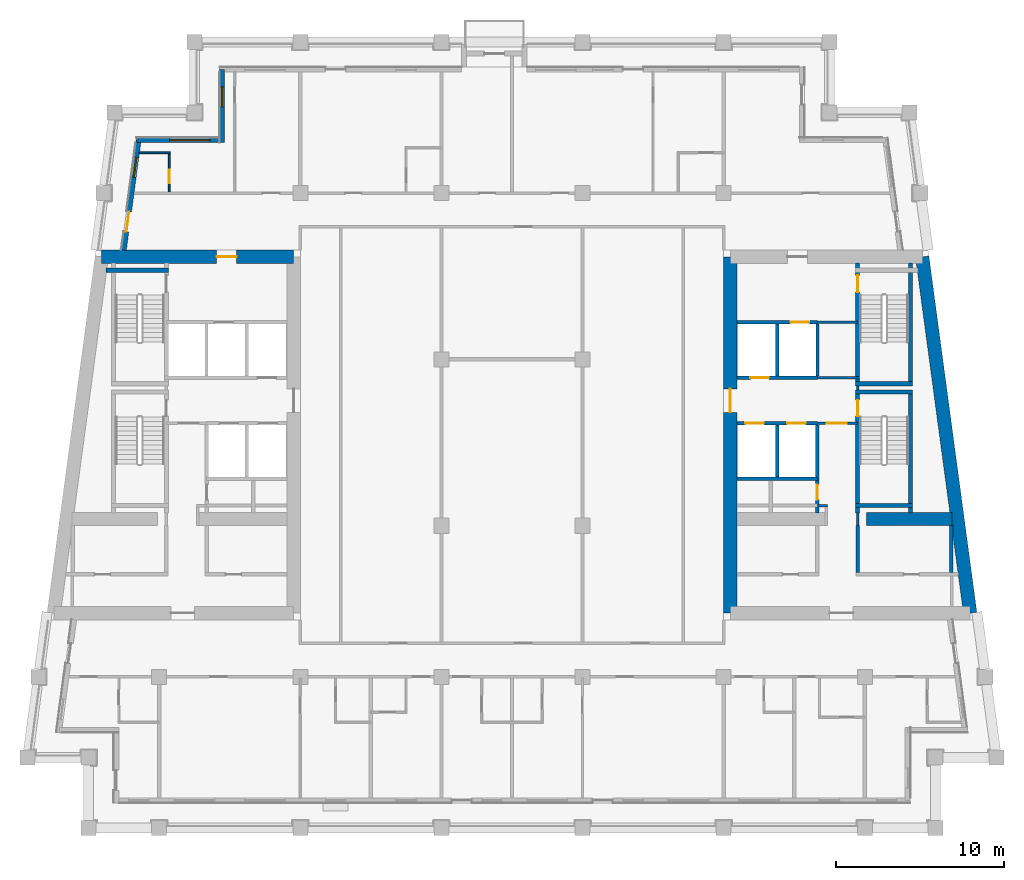
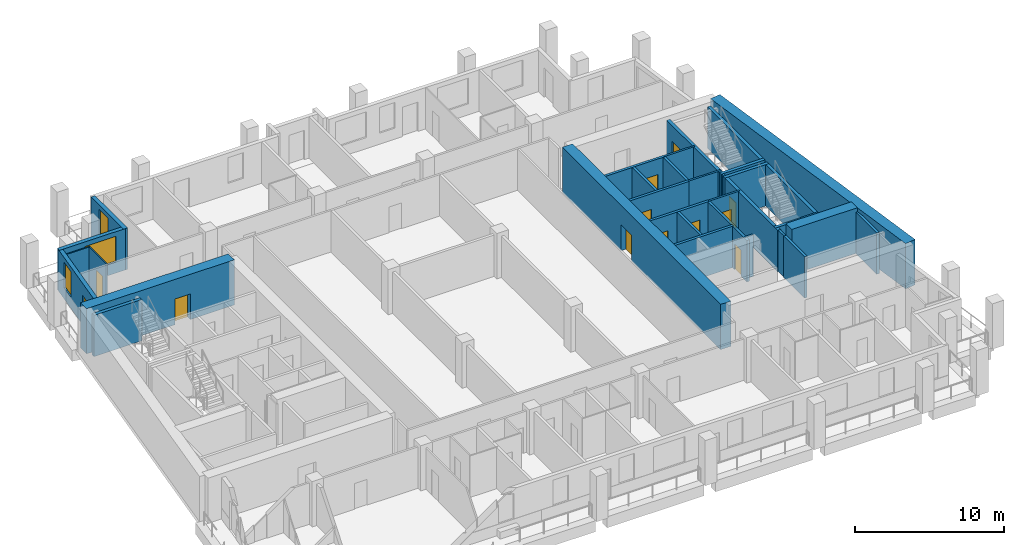
# One storey, part 5 of 12: 33 walls, 12 doors, 3 windows, 15 openings.
"""IFC4 building model written with IfcOpenShell, lengths in metres."""

from ifc_helpers import new_model, si_unit, direction, frame, frame_2d, origin, place, context, subcontext, project, spatial, rectangle, extrude, material, layer, layer_set, type_object, element, fill, save


model = new_model("IFC4")

# Units and contexts
model_context = context("Model", 3, precision=1e-05, world=origin(), true_north=direction((0.0, 1.0)))
body_context = subcontext(model_context, "Body", "Model", "MODEL_VIEW")
ifc_project = project(units=[si_unit("LENGTHUNIT", "METRE"), si_unit("AREAUNIT", "SQUARE_METRE"), si_unit("VOLUMEUNIT", "CUBIC_METRE"), si_unit("PLANEANGLEUNIT", "RADIAN"), si_unit("MASSUNIT", "GRAM", prefix="KILO")], contexts=[model_context])

# Site, building, storey
site_placement = place(None, origin())
site = spatial("IfcSite", under=ifc_project, at=site_placement, CompositionType="ELEMENT")
building_placement = place(site_placement, origin())
building = spatial("IfcBuilding", under=site, at=building_placement, Name="Candeia Pilgrim Tower and Theatre", CompositionType="ELEMENT")
storey_placement = place(building_placement, frame((0.0, 0.0, 231.800048828125)))
storey = spatial("IfcBuildingStorey", under=building, at=storey_placement, Name="L56", CompositionType="ELEMENT", Elevation=231.800048828125)

# Wall, opening, door
ifc_material_1 = material(Name="Concrete C50/60", Category="concrete")
ifc_layer_1 = layer(ifc_material_1, 0.800048828125)
ifc_layer_set_1 = layer_set([ifc_layer_1], Name="Core wall 800 C50/60")
wall_type_1 = type_object("IfcWallType", Name="Core wall 800 C50/60", PredefinedType="SHEAR", material=ifc_layer_set_1)
wall_1_placement = place(storey_placement, frame((88.98046875, 132.0, 0.0), z_axis=(0.0, 0.0, 1.0), x_axis=(1.0, 0.0, 0.0)))
wall_1 = element("IfcWall", 1, at=wall_1_placement, inside=storey, type_object=wall_type_1, Name="Core wall W1", PredefinedType="SHEAR", context=body_context, shape_type="SweptSolid", body=[
    extrude(rectangle(XDim=11.41943359375, YDim=0.800048828125, at=frame_2d((5.709716796875, 0.0))), origin(), (0.0, 0.0, 1.0), 3.699951171875),
])
opening_1_placement = place(wall_1_placement, frame((6.8330078125, 0.0, 0.0)))
opening_1 = element("IfcOpeningElement", 2, at=opening_1_placement, cuts=wall_1, Name="Opening L56-D046", PredefinedType="OPENING", context=body_context, shape_type="SweptSolid", body=[
    extrude(rectangle(XDim=1.199951171875, YDim=2.10009765625, at=frame_2d((0.60009765625, 1.050048828125))), frame((0.0, 0.41015625, 0.0), z_axis=(0.0, -1.0, 0.0), x_axis=(1.0, 0.0, 0.0)), (0.0, 0.0, 1.0), 0.820068359375),
])
ifc_material_2 = material(Name="Steel fire door set", Category="steel")
door_type_1 = type_object("IfcDoorType", Name="D-1200-FD60", OperationType="NOTDEFINED", PredefinedType="DOOR", material=ifc_material_2)
door_1_placement = place(opening_1_placement, origin())
door_1 = element("IfcDoor", 3, at=door_1_placement, inside=storey, type_object=door_type_1, Name="Door L56-D046", OperationType="SINGLE_SWING_RIGHT", OverallHeight=2.10009765625, OverallWidth=1.199951171875, PredefinedType="DOOR", context=body_context, shape_type="SweptSolid", body=[
    extrude(rectangle(XDim=1.199951171875, YDim=2.10009765625, at=frame_2d((0.60009765625, 1.050048828125))), frame((0.0, 0.02490234375, 0.0), z_axis=(0.0, -1.0, 0.0), x_axis=(1.0, 0.0, 0.0)), (0.0, 0.0, 1.0), 0.050048828125),
])
fill(opening_1, door_1)

# Wall
wall_2_placement = place(storey_placement, frame((137.819580078125, 132.0, 0.0), z_axis=(0.0, 0.0, 1.0), x_axis=(0.133408347329, -0.991061154956, 0.0)))
element("IfcWall", 4, at=wall_2_placement, inside=storey, type_object=wall_type_1, Name="Core wall E2", PredefinedType="SHEAR", context=body_context, shape_type="SweptSolid", body=[
    extrude(rectangle(XDim=21.39111328125, YDim=0.800048828125, at=frame_2d((10.695556640625, 0.0))), origin(), (0.0, 0.0, 1.0), 3.699951171875),
])

# Wall, opening, door
wall_3_placement = place(storey_placement, frame((126.39990234375, 110.800048828125, 0.0), z_axis=(0.0, 0.0, 1.0), x_axis=(0.0, 1.0, 0.0)))
wall_3 = element("IfcWall", 5, at=wall_3_placement, inside=storey, type_object=wall_type_1, Name="Core wall E4", PredefinedType="SHEAR", context=body_context, shape_type="SweptSolid", body=[
    extrude(rectangle(XDim=21.199951171875, YDim=0.800048828125, at=frame_2d((10.60009765625, 0.0))), origin(), (0.0, 0.0, 1.0), 3.699951171875),
])
opening_2_placement = place(wall_3_placement, frame((11.949951171875, 0.0, 0.0)))
opening_2 = element("IfcOpeningElement", 6, at=opening_2_placement, cuts=wall_3, Name="Opening L56-D050", PredefinedType="OPENING", context=body_context, shape_type="SweptSolid", body=[
    extrude(rectangle(XDim=1.39990234375, YDim=2.10009765625, at=frame_2d((0.699951171875, 1.050048828125))), frame((0.0, 0.41015625, 0.0), z_axis=(0.0, -1.0, 0.0), x_axis=(1.0, 0.0, 0.0)), (0.0, 0.0, 1.0), 0.820068359375),
])
door_type_2 = type_object("IfcDoorType", Name="D-1400-FD60", OperationType="NOTDEFINED", PredefinedType="DOOR", material=ifc_material_2)
door_2_placement = place(opening_2_placement, origin())
door_2 = element("IfcDoor", 7, at=door_2_placement, inside=storey, type_object=door_type_2, Name="Door L56-D050", OperationType="SINGLE_SWING_RIGHT", OverallHeight=2.10009765625, OverallWidth=1.39990234375, PredefinedType="DOOR", context=body_context, shape_type="SweptSolid", body=[
    extrude(rectangle(XDim=1.39990234375, YDim=2.10009765625, at=frame_2d((0.699951171875, 1.050048828125))), frame((0.0, 0.02490234375, 0.0), z_axis=(0.0, -1.0, 0.0), x_axis=(1.0, 0.0, 0.0)), (0.0, 0.0, 1.0), 0.050048828125),
])
fill(opening_2, door_2)

# Wall
wall_4_placement = place(storey_placement, frame((134.5, 116.39990234375, 0.0), z_axis=(0.0, 0.0, 1.0), x_axis=(1.0, 0.0, 0.0)))
element("IfcWall", 8, at=wall_4_placement, inside=storey, type_object=wall_type_1, Name="Core wall E6", PredefinedType="SHEAR", context=body_context, shape_type="SweptSolid", body=[
    extrude(rectangle(XDim=5.076904296875, YDim=0.800048828125, at=frame_2d((2.53857421875, 0.0))), origin(), (0.0, 0.0, 1.0), 3.699951171875),
])

# Wall, opening, window
ifc_material_3 = material(Name="Ceramic block masonry", Category="masonry")
ifc_layer_2 = layer(ifc_material_3, 0.300048828125)
ifc_layer_set_2 = layer_set([ifc_layer_2], Name="EW1 glazing-line wall 300")
wall_type_2 = type_object("IfcWallType", Name="EW1 glazing-line wall 300", PredefinedType="SOLIDWALL", material=ifc_layer_set_2)
wall_5_placement = place(storey_placement, frame((96.14990234375, 143.14990234375, 0.0), z_axis=(0.0, 0.0, 1.0), x_axis=(0.0, -1.0, 0.0)))
wall_5 = element("IfcWall", 9, at=wall_5_placement, inside=storey, type_object=wall_type_2, Name="External wall L56-7.0", PredefinedType="SOLIDWALL", context=body_context, shape_type="SweptSolid", body=[
    extrude(rectangle(XDim=4.349853515625, YDim=0.300048828125, at=frame_2d((2.1748046875, 0.0))), origin(), (0.0, 0.0, 1.0), 3.3798828125),
])
opening_3_placement = place(wall_5_placement, frame((1.02490234375, 0.0, 0.89990234375)))
opening_3 = element("IfcOpeningElement", 10, at=opening_3_placement, cuts=wall_5, Name="Opening W-B", PredefinedType="OPENING", context=body_context, shape_type="SweptSolid", body=[
    extrude(rectangle(XDim=1.199951171875, YDim=2.10009765625, at=frame_2d((0.60009765625, 1.050048828125))), frame((0.0, 0.16015625, 0.0), z_axis=(0.0, -1.0, 0.0), x_axis=(1.0, 0.0, 0.0)), (0.0, 0.0, 1.0), 0.320068359375),
])
ifc_material_4 = material(Name="Aluminium framed double glazing", Category="aluminium")
window_type_1 = type_object("IfcWindowType", Name="W-B window 1200x2100", PartitioningType="SINGLE_PANEL", PredefinedType="WINDOW", material=ifc_material_4)
window_1_placement = place(opening_3_placement, origin())
window_1 = element("IfcWindow", 11, at=window_1_placement, inside=storey, type_object=window_type_1, Name="Window W-B L56", OverallHeight=2.10009765625, OverallWidth=1.199951171875, PartitioningType="SINGLE_PANEL", PredefinedType="WINDOW", context=body_context, shape_type="SweptSolid", body=[
    extrude(rectangle(XDim=1.199951171875, YDim=2.10009765625, at=frame_2d((0.60009765625, 1.050048828125))), frame((0.0, 0.030029296875, 0.0), z_axis=(0.0, -1.0, 0.0), x_axis=(1.0, 0.0, 0.0)), (0.0, 0.0, 1.0), 0.06005859375),
])
fill(opening_3, window_1)

wall_6_placement = place(storey_placement, frame((96.14990234375, 138.949951171875, 0.0), z_axis=(0.0, 0.0, 1.0), x_axis=(-1.0, 0.0, 0.0)))
wall_6 = element("IfcWall", 12, at=wall_6_placement, inside=storey, type_object=wall_type_2, Name="External wall L56-8.0", PredefinedType="SOLIDWALL", context=body_context, shape_type="SweptSolid", body=[
    extrude(rectangle(XDim=5.103759765625, YDim=0.300048828125, at=frame_2d((2.5517578125, 0.0))), origin(), (0.0, 0.0, 1.0), 3.3798828125),
])
opening_4_placement = place(wall_6_placement, frame((0.72509765625, 0.0, 0.89990234375)))
opening_4 = element("IfcOpeningElement", 13, at=opening_4_placement, cuts=wall_6, Name="Opening W-A", PredefinedType="OPENING", context=body_context, shape_type="SweptSolid", body=[
    extrude(rectangle(XDim=2.39990234375, YDim=2.10009765625, at=frame_2d((1.199951171875, 1.050048828125))), frame((0.0, 0.16015625, 0.0), z_axis=(0.0, -1.0, 0.0), x_axis=(1.0, 0.0, 0.0)), (0.0, 0.0, 1.0), 0.320068359375),
])
window_type_2 = type_object("IfcWindowType", Name="W-A window 2400x2100", PartitioningType="DOUBLE_PANEL_VERTICAL", PredefinedType="WINDOW", material=ifc_material_4)
window_2_placement = place(opening_4_placement, origin())
window_2 = element("IfcWindow", 14, at=window_2_placement, inside=storey, type_object=window_type_2, Name="Window W-A L56", OverallHeight=2.10009765625, OverallWidth=2.39990234375, PartitioningType="SINGLE_PANEL", PredefinedType="WINDOW", context=body_context, shape_type="SweptSolid", body=[
    extrude(rectangle(XDim=2.39990234375, YDim=2.10009765625, at=frame_2d((1.199951171875, 1.050048828125))), frame((0.0, 0.030029296875, 0.0), z_axis=(0.0, -1.0, 0.0), x_axis=(1.0, 0.0, 0.0)), (0.0, 0.0, 1.0), 0.06005859375),
])
fill(opening_4, window_2)

# Wall, openings, door, window
wall_7_placement = place(storey_placement, frame((91.177490234375, 138.949951171875, 0.0), z_axis=(0.0, 0.0, 1.0), x_axis=(-0.133426664613, -0.991058689065, 0.0)))
wall_7 = element("IfcWall", 15, at=wall_7_placement, inside=storey, type_object=wall_type_2, Name="External wall L56-9.0", PredefinedType="SOLIDWALL", context=body_context, shape_type="SweptSolid", body=[
    extrude(rectangle(XDim=6.609130859375, YDim=0.300048828125, at=frame_2d((3.3046875, 0.0))), origin(), (0.0, 0.0, 1.0), 3.3798828125),
])
opening_5_placement = place(wall_7_placement, frame((1.039306640625, 0.0, 0.89990234375)))
opening_5 = element("IfcOpeningElement", 16, at=opening_5_placement, cuts=wall_7, Name="Opening W-B", PredefinedType="OPENING", context=body_context, shape_type="SweptSolid", body=[
    extrude(rectangle(XDim=1.199951171875, YDim=2.10009765625, at=frame_2d((0.60009765625, 1.050048828125))), frame((0.0, 0.16015625, 0.0), z_axis=(0.0, -1.0, 0.0), x_axis=(1.0, 0.0, 0.0)), (0.0, 0.0, 1.0), 0.320068359375),
])
opening_6_placement = place(wall_7_placement, frame((4.293701171875, 0.0, 0.0)))
opening_6 = element("IfcOpeningElement", 17, at=opening_6_placement, cuts=wall_7, Name="Opening L56-ED543", PredefinedType="OPENING", context=body_context, shape_type="SweptSolid", body=[
    extrude(rectangle(XDim=1.199951171875, YDim=2.39990234375, at=frame_2d((0.60009765625, 1.199951171875))), frame((0.0, 0.16015625, 0.0), z_axis=(0.0, -1.0, 0.0), x_axis=(1.0, 0.0, 0.0)), (0.0, 0.0, 1.0), 0.320068359375),
])
ifc_material_5 = material(Name="Aluminium framed glazed door", Category="aluminium")
door_type_3 = type_object("IfcDoorType", Name="Loggia door 1200x2400", OperationType="DOUBLE_DOOR_SINGLE_SWING", PredefinedType="DOOR", material=ifc_material_5)
door_3_placement = place(opening_6_placement, origin())
door_3 = element("IfcDoor", 18, at=door_3_placement, inside=storey, type_object=door_type_3, Name="Loggia door L56-ED543", OperationType="DOUBLE_DOOR_SINGLE_SWING", OverallHeight=2.39990234375, OverallWidth=1.199951171875, PredefinedType="DOOR", context=body_context, shape_type="SweptSolid", body=[
    extrude(rectangle(XDim=1.199951171875, YDim=2.39990234375, at=frame_2d((0.60009765625, 1.199951171875))), frame((0.0, 0.02490234375, 0.0), z_axis=(0.0, -1.0, 0.0), x_axis=(1.0, 0.0, 0.0)), (0.0, 0.0, 1.0), 0.050048828125),
])
fill(opening_6, door_3)
window_3_placement = place(opening_5_placement, origin())
window_3 = element("IfcWindow", 19, at=window_3_placement, inside=storey, type_object=window_type_1, Name="Window W-B L56", OverallHeight=2.10009765625, OverallWidth=1.199951171875, PartitioningType="SINGLE_PANEL", PredefinedType="WINDOW", context=body_context, shape_type="SweptSolid", body=[
    extrude(rectangle(XDim=1.199951171875, YDim=2.10009765625, at=frame_2d((0.60009765625, 1.050048828125))), frame((0.0, 0.030029296875, 0.0), z_axis=(0.0, -1.0, 0.0), x_axis=(1.0, 0.0, 0.0)), (0.0, 0.0, 1.0), 0.06005859375),
])
fill(opening_5, window_3)

# Wall
ifc_material_6 = material(Name="Gypsum board partition on steel studs", Category="steel")
ifc_layer_3 = layer(ifc_material_6, 0.10009765625)
ifc_layer_set_3 = layer_set([ifc_layer_3], Name="PW-100 room partition")
wall_type_3 = type_object("IfcWallType", Name="PW-100 room partition", PredefinedType="PARTITIONING", material=ifc_layer_set_3)
wall_8_placement = place(storey_placement, frame((91.2177734375, 138.199951171875, 0.0), z_axis=(0.0, 0.0, 1.0), x_axis=(1.0, 0.0, 0.0)))
element("IfcWall", 20, at=wall_8_placement, inside=storey, type_object=wall_type_3, Name="Room partition L56-041", PredefinedType="PARTITIONING", context=body_context, shape_type="SweptSolid", body=[
    extrude(rectangle(XDim=1.832275390625, YDim=0.10009765625, at=frame_2d((0.916015625, 0.0))), origin(), (0.0, 0.0, 1.0), 3.3798828125),
])

# Wall, opening, door
wall_9_placement = place(storey_placement, frame((93.0, 135.875, 0.0), z_axis=(0.0, 0.0, 1.0), x_axis=(0.0, 1.0, 0.0)))
wall_9 = element("IfcWall", 21, at=wall_9_placement, inside=storey, type_object=wall_type_3, Name="Room partition L56-055", PredefinedType="PARTITIONING", context=body_context, shape_type="SweptSolid", body=[
    extrude(rectangle(XDim=2.27490234375, YDim=0.10009765625, at=frame_2d((1.137451171875, 0.0))), origin(), (0.0, 0.0, 1.0), 3.3798828125),
])
opening_7_placement = place(wall_9_placement, frame((0.5, 0.0, 0.0)))
opening_7 = element("IfcOpeningElement", 22, at=opening_7_placement, cuts=wall_9, Name="Opening L56-D033", PredefinedType="OPENING", context=body_context, shape_type="SweptSolid", body=[
    extrude(rectangle(XDim=0.800048828125, YDim=2.10009765625, at=frame_2d((0.39990234375, 1.050048828125))), frame((0.0, 0.06005859375, 0.0), z_axis=(0.0, -1.0, 0.0), x_axis=(1.0, 0.0, 0.0)), (0.0, 0.0, 1.0), 0.1201171875),
])
ifc_material_7 = material(Name="Timber door leaf", Category="wood")
door_type_4 = type_object("IfcDoorType", Name="D-800", OperationType="NOTDEFINED", PredefinedType="DOOR", material=ifc_material_7)
door_4_placement = place(opening_7_placement, origin())
door_4 = element("IfcDoor", 23, at=door_4_placement, inside=storey, type_object=door_type_4, Name="Door L56-D033", OperationType="SINGLE_SWING_LEFT", OverallHeight=2.10009765625, OverallWidth=0.800048828125, PredefinedType="DOOR", context=body_context, shape_type="SweptSolid", body=[
    extrude(rectangle(XDim=0.800048828125, YDim=2.10009765625, at=frame_2d((0.39990234375, 1.050048828125))), frame((0.0, 0.02490234375, 0.0), z_axis=(0.0, -1.0, 0.0), x_axis=(1.0, 0.0, 0.0)), (0.0, 0.0, 1.0), 0.050048828125),
])
fill(opening_7, door_4)

# Wall
ifc_layer_4 = layer(ifc_material_6, 0.14990234375)
ifc_layer_set_4 = layer_set([ifc_layer_4], Name="PW-150 lobby wall")
wall_type_4 = type_object("IfcWallType", Name="PW-150 lobby wall", PredefinedType="PARTITIONING", material=ifc_layer_set_4)
wall_10_placement = place(storey_placement, frame((131.572998046875, 117.199951171875, 0.0), z_axis=(0.0, 0.0, 1.0), x_axis=(1.0, 0.0, 0.0)))
element("IfcWall", 24, at=wall_10_placement, inside=storey, type_object=wall_type_4, Name="Lobby wall L56-017", PredefinedType="PARTITIONING", context=body_context, shape_type="SweptSolid", body=[
    extrude(rectangle(XDim=0.60205078125, YDim=0.14990234375, at=frame_2d((0.301025390625, 0.0))), origin(), (0.0, 0.0, 1.0), 3.3798828125),
])

# Wall, opening, door
wall_11_placement = place(storey_placement, frame((131.572998046875, 122.10009765625, 0.0), z_axis=(0.0, 0.0, 1.0), x_axis=(1.0, 0.0, 0.0)))
wall_11 = element("IfcWall", 25, at=wall_11_placement, inside=storey, type_object=wall_type_4, Name="Lobby wall L56-025", PredefinedType="PARTITIONING", context=body_context, shape_type="SweptSolid", body=[
    extrude(rectangle(XDim=2.39990234375, YDim=0.14990234375, at=frame_2d((1.199951171875, 0.0))), origin(), (0.0, 0.0, 1.0), 3.3798828125),
])
opening_8_placement = place(wall_11_placement, frame((0.550048828125, 0.0, 0.0)))
opening_8 = element("IfcOpeningElement", 26, at=opening_8_placement, cuts=wall_11, Name="Opening L56-D007", PredefinedType="OPENING", context=body_context, shape_type="SweptSolid", body=[
    extrude(rectangle(XDim=1.199951171875, YDim=2.10009765625, at=frame_2d((0.60009765625, 1.050048828125))), frame((0.0, 0.0849609375, 0.0), z_axis=(0.0, -1.0, 0.0), x_axis=(1.0, 0.0, 0.0)), (0.0, 0.0, 1.0), 0.169921875),
])
door_5_placement = place(opening_8_placement, origin())
door_5 = element("IfcDoor", 27, at=door_5_placement, inside=storey, type_object=door_type_1, Name="Door L56-D007", OperationType="SINGLE_SWING_LEFT", OverallHeight=2.10009765625, OverallWidth=1.199951171875, PredefinedType="DOOR", context=body_context, shape_type="SweptSolid", body=[
    extrude(rectangle(XDim=1.199951171875, YDim=2.10009765625, at=frame_2d((0.60009765625, 1.050048828125))), frame((0.0, 0.02490234375, 0.0), z_axis=(0.0, -1.0, 0.0), x_axis=(1.0, 0.0, 0.0)), (0.0, 0.0, 1.0), 0.050048828125),
])
fill(opening_8, door_5)

# Walls
wall_12_placement = place(storey_placement, frame((131.58203125, 124.800048828125, 0.0), z_axis=(0.0, 0.0, 1.0), x_axis=(1.0, 0.0, 0.0)))
element("IfcWall", 28, at=wall_12_placement, inside=storey, type_object=wall_type_4, Name="Lobby wall L56-032", PredefinedType="PARTITIONING", context=body_context, shape_type="SweptSolid", body=[
    extrude(rectangle(XDim=2.515869140625, YDim=0.14990234375, at=frame_2d((1.2578125, 0.0))), origin(), (0.0, 0.0, 1.0), 3.3798828125),
])
wall_13_placement = place(storey_placement, frame((131.58203125, 128.10009765625, 0.0), z_axis=(0.0, 0.0, 1.0), x_axis=(1.0, 0.0, 0.0)))
element("IfcWall", 29, at=wall_13_placement, inside=storey, type_object=wall_type_4, Name="Lobby wall L56-036", PredefinedType="PARTITIONING", context=body_context, shape_type="SweptSolid", body=[
    extrude(rectangle(XDim=2.390869140625, YDim=0.14990234375, at=frame_2d((1.1953125, 0.0))), origin(), (0.0, 0.0, 1.0), 3.3798828125),
])
wall_14_placement = place(storey_placement, frame((133.972900390625, 116.0, 0.0), z_axis=(0.0, 0.0, 1.0), x_axis=(0.0, 1.0, 0.0)))
element("IfcWall", 30, at=wall_14_placement, inside=storey, type_object=wall_type_4, Name="Lobby wall L56-100", PredefinedType="PARTITIONING", context=body_context, shape_type="SweptSolid", body=[
    extrude(rectangle(XDim=0.77001953125, YDim=0.14990234375, at=frame_2d((0.385009765625, 0.0))), origin(), (0.0, 0.0, 1.0), 3.3798828125),
])
wall_15_placement = place(storey_placement, frame((133.972900390625, 124.074951171875, 0.0), z_axis=(0.0, 0.0, 1.0), x_axis=(0.0, 1.0, 0.0)))
element("IfcWall", 31, at=wall_15_placement, inside=storey, type_object=wall_type_4, Name="Lobby wall L56-101", PredefinedType="PARTITIONING", context=body_context, shape_type="SweptSolid", body=[
    extrude(rectangle(XDim=0.25, YDim=0.14990234375, at=frame_2d((0.125, 0.0))), origin(), (0.0, 0.0, 1.0), 3.3798828125),
])
ifc_material_8 = material(Name="Concrete C40/50", Category="concrete")
ifc_layer_5 = layer(ifc_material_8, 0.199951171875)
ifc_layer_set_5 = layer_set([ifc_layer_5], Name="SW-200 shaft wall")
wall_type_5 = type_object("IfcWallType", Name="SW-200 shaft wall", PredefinedType="PARTITIONING", material=ifc_layer_set_5)
wall_16_placement = place(storey_placement, frame((126.800048828125, 118.800048828125, 0.0), z_axis=(0.0, 0.0, 1.0), x_axis=(1.0, 0.0, 0.0)))
element("IfcWall", 32, at=wall_16_placement, inside=storey, type_object=wall_type_5, Name="Shaft wall L56-021", PredefinedType="PARTITIONING", context=body_context, shape_type="SweptSolid", body=[
    extrude(rectangle(XDim=4.77294921875, YDim=0.199951171875, at=frame_2d((2.386474609375, 0.0))), origin(), (0.0, 0.0, 1.0), 3.3798828125),
])

# Wall, openings, doors
wall_17_placement = place(storey_placement, frame((126.800048828125, 122.10009765625, 0.0), z_axis=(0.0, 0.0, 1.0), x_axis=(1.0, 0.0, 0.0)))
wall_17 = element("IfcWall", 33, at=wall_17_placement, inside=storey, type_object=wall_type_5, Name="Shaft wall L56-023", PredefinedType="PARTITIONING", context=body_context, shape_type="SweptSolid", body=[
    extrude(rectangle(XDim=4.77294921875, YDim=0.199951171875, at=frame_2d((2.386474609375, 0.0))), origin(), (0.0, 0.0, 1.0), 3.3798828125),
])
opening_9_placement = place(wall_17_placement, frame((2.970947265625, 0.0, 0.0)))
opening_9 = element("IfcOpeningElement", 34, at=opening_9_placement, cuts=wall_17, Name="Opening L56-LD05", PredefinedType="OPENING", context=body_context, shape_type="SweptSolid", body=[
    extrude(rectangle(XDim=1.10009765625, YDim=2.10009765625, at=frame_2d((0.550048828125, 1.050048828125))), frame((0.0, 0.10986328125, 0.0), z_axis=(0.0, -1.0, 0.0), x_axis=(1.0, 0.0, 0.0)), (0.0, 0.0, 1.0), 0.219970703125),
])
opening_10_placement = place(wall_17_placement, frame((0.4970703125, 0.0, 0.0)))
opening_10 = element("IfcOpeningElement", 35, at=opening_10_placement, cuts=wall_17, Name="Opening L56-LD06", PredefinedType="OPENING", context=body_context, shape_type="SweptSolid", body=[
    extrude(rectangle(XDim=1.10009765625, YDim=2.10009765625, at=frame_2d((0.550048828125, 1.050048828125))), frame((0.0, 0.10986328125, 0.0), z_axis=(0.0, -1.0, 0.0), x_axis=(1.0, 0.0, 0.0)), (0.0, 0.0, 1.0), 0.219970703125),
])
ifc_material_9 = material(Name="Glazed aluminium landing door", Category="aluminium")
door_type_5 = type_object("IfcDoorType", Name="LD-1100-EI120", OperationType="SLIDING_TO_LEFT", PredefinedType="DOOR", material=ifc_material_9)
door_6_placement = place(opening_9_placement, origin())
door_6 = element("IfcDoor", 36, at=door_6_placement, inside=storey, type_object=door_type_5, Name="Landing door 05 L56", OperationType="SLIDING_TO_LEFT", OverallHeight=2.10009765625, OverallWidth=1.10009765625, PredefinedType="DOOR", context=body_context, shape_type="SweptSolid", body=[
    extrude(rectangle(XDim=1.10009765625, YDim=2.10009765625, at=frame_2d((0.550048828125, 1.050048828125))), frame((0.0, 0.02490234375, 0.0), z_axis=(0.0, -1.0, 0.0), x_axis=(1.0, 0.0, 0.0)), (0.0, 0.0, 1.0), 0.050048828125),
])
fill(opening_9, door_6)
door_7_placement = place(opening_10_placement, origin())
door_7 = element("IfcDoor", 37, at=door_7_placement, inside=storey, type_object=door_type_5, Name="Landing door 06 L56", OperationType="SLIDING_TO_LEFT", OverallHeight=2.10009765625, OverallWidth=1.10009765625, PredefinedType="DOOR", context=body_context, shape_type="SweptSolid", body=[
    extrude(rectangle(XDim=1.10009765625, YDim=2.10009765625, at=frame_2d((0.550048828125, 1.050048828125))), frame((0.0, 0.02490234375, 0.0), z_axis=(0.0, -1.0, 0.0), x_axis=(1.0, 0.0, 0.0)), (0.0, 0.0, 1.0), 0.050048828125),
])
fill(opening_10, door_7)

# Wall, opening, door
wall_18_placement = place(storey_placement, frame((126.800048828125, 124.800048828125, 0.0), z_axis=(0.0, 0.0, 1.0), x_axis=(1.0, 0.0, 0.0)))
wall_18 = element("IfcWall", 38, at=wall_18_placement, inside=storey, type_object=wall_type_5, Name="Shaft wall L56-031", PredefinedType="PARTITIONING", context=body_context, shape_type="SweptSolid", body=[
    extrude(rectangle(XDim=4.781982421875, YDim=0.199951171875, at=frame_2d((2.39111328125, 0.0))), origin(), (0.0, 0.0, 1.0), 3.3798828125),
])
opening_11_placement = place(wall_18_placement, frame((0.79296875, 0.0, 0.0)))
opening_11 = element("IfcOpeningElement", 39, at=opening_11_placement, cuts=wall_18, Name="Opening L56-LD08", PredefinedType="OPENING", context=body_context, shape_type="SweptSolid", body=[
    extrude(rectangle(XDim=1.10009765625, YDim=2.10009765625, at=frame_2d((0.550048828125, 1.050048828125))), frame((0.0, 0.10986328125, 0.0), z_axis=(0.0, -1.0, 0.0), x_axis=(1.0, 0.0, 0.0)), (0.0, 0.0, 1.0), 0.219970703125),
])
door_8_placement = place(opening_11_placement, origin())
door_8 = element("IfcDoor", 40, at=door_8_placement, inside=storey, type_object=door_type_5, Name="Landing door 08 L56", OperationType="SLIDING_TO_LEFT", OverallHeight=2.10009765625, OverallWidth=1.10009765625, PredefinedType="DOOR", context=body_context, shape_type="SweptSolid", body=[
    extrude(rectangle(XDim=1.10009765625, YDim=2.10009765625, at=frame_2d((0.550048828125, 1.050048828125))), frame((0.0, 0.02490234375, 0.0), z_axis=(0.0, -1.0, 0.0), x_axis=(1.0, 0.0, 0.0)), (0.0, 0.0, 1.0), 0.050048828125),
])
fill(opening_11, door_8)

wall_19_placement = place(storey_placement, frame((126.800048828125, 128.10009765625, 0.0), z_axis=(0.0, 0.0, 1.0), x_axis=(1.0, 0.0, 0.0)))
wall_19 = element("IfcWall", 41, at=wall_19_placement, inside=storey, type_object=wall_type_5, Name="Shaft wall L56-035", PredefinedType="PARTITIONING", context=body_context, shape_type="SweptSolid", body=[
    extrude(rectangle(XDim=4.781982421875, YDim=0.199951171875, at=frame_2d((2.39111328125, 0.0))), origin(), (0.0, 0.0, 1.0), 3.3798828125),
])
opening_12_placement = place(wall_19_placement, frame((3.18408203125, 0.0, 0.0)))
opening_12 = element("IfcOpeningElement", 42, at=opening_12_placement, cuts=wall_19, Name="Opening L56-LD07", PredefinedType="OPENING", context=body_context, shape_type="SweptSolid", body=[
    extrude(rectangle(XDim=1.10009765625, YDim=2.10009765625, at=frame_2d((0.550048828125, 1.050048828125))), frame((0.0, 0.10986328125, 0.0), z_axis=(0.0, -1.0, 0.0), x_axis=(1.0, 0.0, 0.0)), (0.0, 0.0, 1.0), 0.219970703125),
])
door_9_placement = place(opening_12_placement, origin())
door_9 = element("IfcDoor", 43, at=door_9_placement, inside=storey, type_object=door_type_5, Name="Landing door 07 L56", OperationType="SLIDING_TO_LEFT", OverallHeight=2.10009765625, OverallWidth=1.10009765625, PredefinedType="DOOR", context=body_context, shape_type="SweptSolid", body=[
    extrude(rectangle(XDim=1.10009765625, YDim=2.10009765625, at=frame_2d((0.550048828125, 1.050048828125))), frame((0.0, 0.02490234375, 0.0), z_axis=(0.0, -1.0, 0.0), x_axis=(1.0, 0.0, 0.0)), (0.0, 0.0, 1.0), 0.050048828125),
])
fill(opening_12, door_9)

# Walls
for number, where, z_axis, x_axis, name in (
    (44, (129.1865234375, 118.89990234375, 0.0), (0.0, 0.0, 1.0), (0.0, 1.0, 0.0), "Shaft wall L56-091"),
    (45, (129.19091796875, 124.89990234375, 0.0), (0.0, 0.0, 1.0), (0.0, 1.0, 0.0), "Shaft wall L56-092"),
):
    element("IfcWall", number, at=place(storey_placement, frame(where, z_axis=z_axis, x_axis=x_axis)), inside=storey, type_object=wall_type_5, Name=name, PredefinedType="PARTITIONING", context=body_context, shape_type="SweptSolid", body=[
        extrude(rectangle(XDim=3.10009765625, YDim=0.199951171875, at=frame_2d((1.550048828125, 0.0))), origin(), (0.0, 0.0, 1.0), 3.3798828125),
    ])

# Wall, opening, door
wall_20_placement = place(storey_placement, frame((131.572998046875, 116.77001953125, 0.0), z_axis=(0.0, 0.0, 1.0), x_axis=(0.0, 1.0, 0.0)))
wall_20 = element("IfcWall", 46, at=wall_20_placement, inside=storey, type_object=wall_type_5, Name="Shaft wall L56-095", PredefinedType="PARTITIONING", context=body_context, shape_type="SweptSolid", body=[
    extrude(rectangle(XDim=5.22998046875, YDim=0.199951171875, at=frame_2d((2.614990234375, 0.0))), origin(), (0.0, 0.0, 1.0), 3.3798828125),
])
opening_13_placement = place(wall_20_placement, frame((0.780029296875, 0.0, 0.0)))
opening_13 = element("IfcOpeningElement", 47, at=opening_13_placement, cuts=wall_20, Name="Opening L56-D010", PredefinedType="OPENING", context=body_context, shape_type="SweptSolid", body=[
    extrude(rectangle(XDim=0.89990234375, YDim=2.10009765625, at=frame_2d((0.449951171875, 1.050048828125))), frame((0.0, 0.10986328125, 0.0), z_axis=(0.0, -1.0, 0.0), x_axis=(1.0, 0.0, 0.0)), (0.0, 0.0, 1.0), 0.219970703125),
])
door_type_6 = type_object("IfcDoorType", Name="D-900-FD60", OperationType="NOTDEFINED", PredefinedType="DOOR", material=ifc_material_2)
door_10_placement = place(opening_13_placement, origin())
door_10 = element("IfcDoor", 48, at=door_10_placement, inside=storey, type_object=door_type_6, Name="Door L56-D010", OperationType="SINGLE_SWING_RIGHT", OverallHeight=2.10009765625, OverallWidth=0.89990234375, PredefinedType="DOOR", context=body_context, shape_type="SweptSolid", body=[
    extrude(rectangle(XDim=0.89990234375, YDim=2.10009765625, at=frame_2d((0.449951171875, 1.050048828125))), frame((0.0, 0.02490234375, 0.0), z_axis=(0.0, -1.0, 0.0), x_axis=(1.0, 0.0, 0.0)), (0.0, 0.0, 1.0), 0.050048828125),
])
fill(opening_13, door_10)

# Walls
wall_21_placement = place(storey_placement, frame((131.58203125, 124.89990234375, 0.0), z_axis=(0.0, 0.0, 1.0), x_axis=(0.0, 1.0, 0.0)))
element("IfcWall", 49, at=wall_21_placement, inside=storey, type_object=wall_type_5, Name="Shaft wall L56-096", PredefinedType="PARTITIONING", context=body_context, shape_type="SweptSolid", body=[
    extrude(rectangle(XDim=3.10009765625, YDim=0.199951171875, at=frame_2d((1.550048828125, 0.0))), origin(), (0.0, 0.0, 1.0), 3.3798828125),
])
for number, where, z_axis, x_axis, name in (
    (50, (133.972900390625, 113.199951171875, 0.0), (0.0, 0.0, 1.0), (0.0, 1.0, 0.0), "Shaft wall L56-099"),
    (51, (139.550537109375, 113.199951171875, 0.0), (0.0, 0.0, 1.0), (0.0, 1.0, 0.0), "Shaft wall L56-108"),
):
    element("IfcWall", number, at=place(storey_placement, frame(where, z_axis=z_axis, x_axis=x_axis)), inside=storey, type_object=wall_type_5, Name=name, PredefinedType="PARTITIONING", context=body_context, shape_type="SweptSolid", body=[
        extrude(rectangle(XDim=2.800048828125, YDim=0.199951171875, at=frame_2d((1.39990234375, 0.0))), origin(), (0.0, 0.0, 1.0), 3.3798828125),
    ])
ifc_layer_6 = layer(ifc_material_8, 0.25)
ifc_layer_set_6 = layer_set([ifc_layer_6], Name="SW-250 stair wall")
wall_type_6 = type_object("IfcWallType", Name="SW-250 stair wall", PredefinedType="PARTITIONING", material=ifc_layer_set_6)
for number, where, z_axis, x_axis, name in (
    (52, (133.847900390625, 117.199951171875, 0.0), (0.0, 0.0, 1.0), (1.0, 0.0, 0.0), "Stair wall L56-019"),
    (53, (133.847900390625, 123.949951171875, 0.0), (0.0, 0.0, 1.0), (1.0, 0.0, 0.0), "Stair wall L56-027"),
    (54, (133.847900390625, 124.449951171875, 0.0), (0.0, 0.0, 1.0), (1.0, 0.0, 0.0), "Stair wall L56-029"),
):
    element("IfcWall", number, at=place(storey_placement, frame(where, z_axis=z_axis, x_axis=x_axis)), inside=storey, type_object=wall_type_6, Name=name, PredefinedType="PARTITIONING", context=body_context, shape_type="SweptSolid", body=[
        extrude(rectangle(XDim=3.400146484375, YDim=0.25, at=frame_2d((1.7001953125, 0.0))), origin(), (0.0, 0.0, 1.0), 3.3798828125),
    ])
wall_22_placement = place(storey_placement, frame((89.246337890625, 131.199951171875, 0.0), z_axis=(0.0, 0.0, 1.0), x_axis=(1.0, 0.0, 0.0)))
element("IfcWall", 55, at=wall_22_placement, inside=storey, type_object=wall_type_6, Name="Stair wall L56-037", PredefinedType="PARTITIONING", context=body_context, shape_type="SweptSolid", body=[
    extrude(rectangle(XDim=3.70556640625, YDim=0.25, at=frame_2d((1.852783203125, 0.0))), origin(), (0.0, 0.0, 1.0), 3.3798828125),
])

# Wall, opening, door
wall_23_placement = place(storey_placement, frame((133.972900390625, 116.77001953125, 0.0), z_axis=(0.0, 0.0, 1.0), x_axis=(0.0, 1.0, 0.0)))
wall_23 = element("IfcWall", 56, at=wall_23_placement, inside=storey, type_object=wall_type_6, Name="Stair wall L56-102", PredefinedType="PARTITIONING", context=body_context, shape_type="SweptSolid", body=[
    extrude(rectangle(XDim=7.054931640625, YDim=0.25, at=frame_2d((3.52734375, 0.0))), origin(), (0.0, 0.0, 1.0), 3.3798828125),
])
opening_14_placement = place(wall_23_placement, frame((5.7548828125, 0.0, 0.0)))
opening_14 = element("IfcOpeningElement", 57, at=opening_14_placement, cuts=wall_23, Name="Opening L56-D008", PredefinedType="OPENING", context=body_context, shape_type="SweptSolid", body=[
    extrude(rectangle(XDim=0.949951171875, YDim=2.10009765625, at=frame_2d((0.47509765625, 1.050048828125))), frame((0.0, 0.135009765625, 0.0), z_axis=(0.0, -1.0, 0.0), x_axis=(1.0, 0.0, 0.0)), (0.0, 0.0, 1.0), 0.27001953125),
])
door_type_7 = type_object("IfcDoorType", Name="D-950-FD60", OperationType="NOTDEFINED", PredefinedType="DOOR", material=ifc_material_2)
door_11_placement = place(opening_14_placement, origin())
door_11 = element("IfcDoor", 58, at=door_11_placement, inside=storey, type_object=door_type_7, Name="Door L56-D008", OperationType="SINGLE_SWING_RIGHT", OverallHeight=2.10009765625, OverallWidth=0.949951171875, PredefinedType="DOOR", context=body_context, shape_type="SweptSolid", body=[
    extrude(rectangle(XDim=0.949951171875, YDim=2.10009765625, at=frame_2d((0.47509765625, 1.050048828125))), frame((0.0, 0.02490234375, 0.0), z_axis=(0.0, -1.0, 0.0), x_axis=(1.0, 0.0, 0.0)), (0.0, 0.0, 1.0), 0.050048828125),
])
fill(opening_14, door_11)

wall_24_placement = place(storey_placement, frame((133.972900390625, 124.574951171875, 0.0), z_axis=(0.0, 0.0, 1.0), x_axis=(0.0, 1.0, 0.0)))
wall_24 = element("IfcWall", 59, at=wall_24_placement, inside=storey, type_object=wall_type_6, Name="Stair wall L56-103", PredefinedType="PARTITIONING", context=body_context, shape_type="SweptSolid", body=[
    extrude(rectangle(XDim=7.054931640625, YDim=0.25, at=frame_2d((3.52734375, 0.0))), origin(), (0.0, 0.0, 1.0), 3.3798828125),
])
opening_15_placement = place(wall_24_placement, frame((5.324951171875, 0.0, 0.0)))
opening_15 = element("IfcOpeningElement", 60, at=opening_15_placement, cuts=wall_24, Name="Opening L56-D009", PredefinedType="OPENING", context=body_context, shape_type="SweptSolid", body=[
    extrude(rectangle(XDim=1.0, YDim=2.10009765625, at=frame_2d((0.5, 1.050048828125))), frame((0.0, 0.135009765625, 0.0), z_axis=(0.0, -1.0, 0.0), x_axis=(1.0, 0.0, 0.0)), (0.0, 0.0, 1.0), 0.27001953125),
])
door_type_8 = type_object("IfcDoorType", Name="D-1000-FD60", OperationType="NOTDEFINED", PredefinedType="DOOR", material=ifc_material_2)
door_12_placement = place(opening_15_placement, origin())
door_12 = element("IfcDoor", 61, at=door_12_placement, inside=storey, type_object=door_type_8, Name="Door L56-D009", OperationType="SINGLE_SWING_LEFT", OverallHeight=2.10009765625, OverallWidth=1.0, PredefinedType="DOOR", context=body_context, shape_type="SweptSolid", body=[
    extrude(rectangle(XDim=1.0, YDim=2.10009765625, at=frame_2d((0.5, 1.050048828125))), frame((0.0, 0.02490234375, 0.0), z_axis=(0.0, -1.0, 0.0), x_axis=(1.0, 0.0, 0.0)), (0.0, 0.0, 1.0), 0.050048828125),
])
fill(opening_15, door_12)

# Walls
for number, where, z_axis, x_axis, name in (
    (62, (137.123046875, 116.77001953125, 0.0), (0.0, 0.0, 1.0), (0.0, 1.0, 0.0), "Stair wall L56-105"),
    (63, (137.123046875, 124.574951171875, 0.0), (0.0, 0.0, 1.0), (0.0, 1.0, 0.0), "Stair wall L56-106"),
):
    element("IfcWall", number, at=place(storey_placement, frame(where, z_axis=z_axis, x_axis=x_axis)), inside=storey, type_object=wall_type_6, Name=name, PredefinedType="PARTITIONING", context=body_context, shape_type="SweptSolid", body=[
        extrude(rectangle(XDim=7.054931640625, YDim=0.25, at=frame_2d((3.52734375, 0.0))), origin(), (0.0, 0.0, 1.0), 3.3798828125),
    ])

save(model, "model.ifc")
